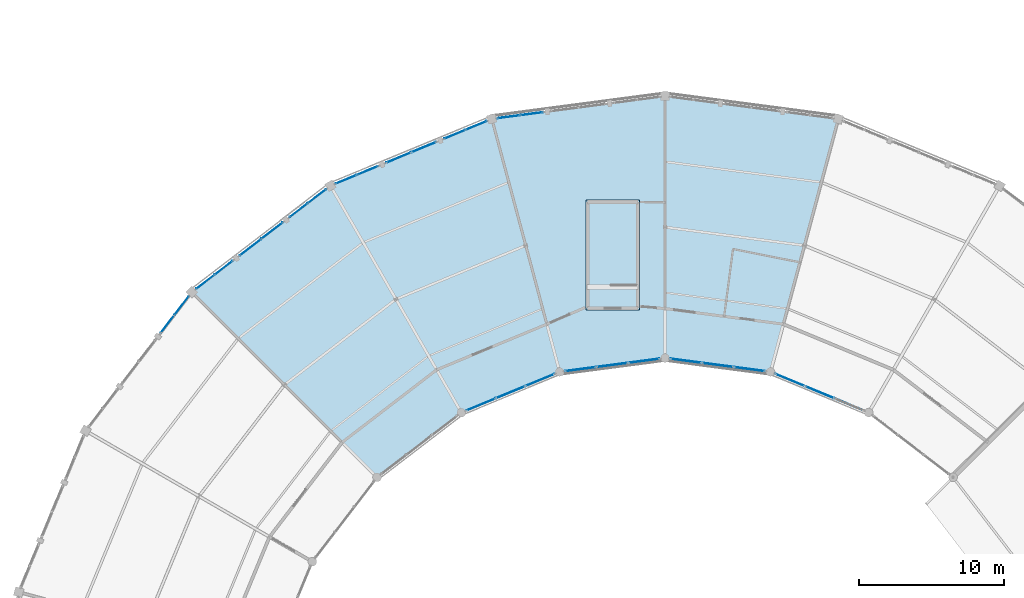
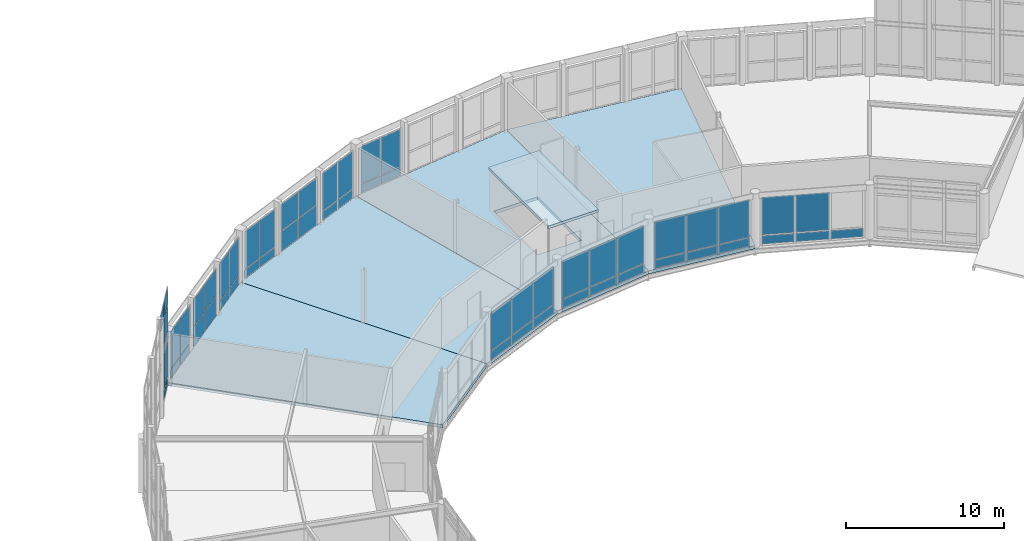
# One storey, part 139 of 200: 55 plates, 5 slabs, 12 elements without a shape of their own.
"""IFC4 building model written with IfcOpenShell, lengths in metres."""

from ifc_helpers import new_model, si_unit, direction, frame, origin, origin_2d, place, context, subcontext, project, spatial, polyline, rectangle, outline, extrude, material, layer, layer_set, type_object, element, aggregate, save


model = new_model("IFC4")

# Units and contexts
model_context = context("Model", 3, precision=1e-05, world=origin(), true_north=direction((0.0, 1.0)))
body_context = subcontext(model_context, "Body", "Model", "MODEL_VIEW")
ifc_project = project(units=[si_unit("LENGTHUNIT", "METRE"), si_unit("AREAUNIT", "SQUARE_METRE"), si_unit("VOLUMEUNIT", "CUBIC_METRE"), si_unit("PLANEANGLEUNIT", "RADIAN"), si_unit("MASSUNIT", "GRAM", prefix="KILO")], contexts=[model_context])

# Site, building, storey
site_placement = place(None, origin())
site = spatial("IfcSite", under=ifc_project, at=site_placement, CompositionType="ELEMENT")
building_placement = place(site_placement, origin())
building = spatial("IfcBuilding", under=site, at=building_placement, Name="Vondelvale Polytechnic", CompositionType="ELEMENT")
storey_placement = place(building_placement, frame((0.0, 0.0, 13.800048828125)))
storey = spatial("IfcBuildingStorey", under=building, at=storey_placement, Name="L03", CompositionType="ELEMENT", Elevation=13.800048828125)

# Curtain wall, plates
ifc_material_1 = material(Name="Anodised extruded aluminium 6063-T6", Category="aluminium")
curtain_wall_type_1 = type_object("IfcCurtainWallType", Name="CW-RING-CLOISTER", PredefinedType="NOTDEFINED", material=ifc_material_1)
curtain_wall_1_placement = place(storey_placement, origin())
curtain_wall_1 = element("IfcCurtainWall", 1, at=curtain_wall_1_placement, inside=storey, type_object=curtain_wall_type_1, Name="L03 architectural curtain wall CW-03-123", PredefinedType="NOTDEFINED")
ifc_material_2 = material(Name="Double-glazed low-E insulated architectural glass", Category="glass")
ifc_layer_1 = layer(ifc_material_2, 0.028076171875)
ifc_layer_set_1 = layer_set([ifc_layer_1], Name="CW-PANEL-GLAZED")
plate_type_1 = type_object("IfcPlateType", Name="CW-PANEL-GLAZED", PredefinedType="CURTAIN_PANEL", material=ifc_layer_set_1)
plate_1_placement = place(storey_placement, frame((112.62353515625, 97.647216796875, 0.7822265625), z_axis=(0.0, 0.0, 1.0), x_axis=(-0.923881562419, 0.382678531697, 0.0)))
plate_1 = element("IfcPlate", 2, at=plate_1_placement, type_object=plate_type_1, Name="CW-03-123 panel 2.2", PredefinedType="CURTAIN_PANEL", context=body_context, shape_type="SweptSolid", body=[
    extrude(rectangle(XDim=2.146484375, YDim=0.028076171875, at=origin_2d()), origin(), (0.0, 0.0, 1.0), 2.902587890625),
])
plate_2_placement = place(storey_placement, frame((110.591796875, 98.48876953125, 0.7822265625), z_axis=(0.0, 0.0, 1.0), x_axis=(-0.923881562419, 0.382678531697, 0.0)))
plate_2 = element("IfcPlate", 3, at=plate_2_placement, type_object=plate_type_1, Name="CW-03-123 panel 3.2", PredefinedType="CURTAIN_PANEL", context=body_context, shape_type="SweptSolid", body=[
    extrude(rectangle(XDim=2.111572265625, YDim=0.028076171875, at=origin_2d()), origin(), (0.0, 0.0, 1.0), 2.902587890625),
])

curtain_wall_2_placement = place(storey_placement, origin())
curtain_wall_2 = element("IfcCurtainWall", 4, at=curtain_wall_2_placement, inside=storey, type_object=curtain_wall_type_1, Name="L03 architectural curtain wall CW-03-143", PredefinedType="NOTDEFINED")
plate_3_placement = place(storey_placement, frame((107.804443359375, 99.23583984375, 0.7822265625), z_axis=(0.0, 0.0, 1.0), x_axis=(-0.99144462243, 0.130528007165, 0.0)))
plate_3 = element("IfcPlate", 5, at=plate_3_placement, type_object=plate_type_1, Name="CW-03-143 panel 1.2", PredefinedType="CURTAIN_PANEL", context=body_context, shape_type="SweptSolid", body=[
    extrude(rectangle(XDim=2.1123046875, YDim=0.028076171875, at=origin_2d()), origin(), (0.0, 0.0, 1.0), 2.902587890625),
])
plate_4_placement = place(storey_placement, frame((105.62353515625, 99.52294921875, 0.7822265625), z_axis=(0.0, 0.0, 1.0), x_axis=(-0.99144462243, 0.130528007165, 0.0)))
plate_4 = element("IfcPlate", 6, at=plate_4_placement, type_object=plate_type_1, Name="CW-03-143 panel 2.2", PredefinedType="CURTAIN_PANEL", context=body_context, shape_type="SweptSolid", body=[
    extrude(rectangle(XDim=2.1474609375, YDim=0.028076171875, at=origin_2d()), origin(), (0.0, 0.0, 1.0), 2.902587890625),
])
plate_5_placement = place(storey_placement, frame((103.4423828125, 99.81005859375, 0.7822265625), z_axis=(0.0, 0.0, 1.0), x_axis=(-0.99144462243, 0.130528007165, 0.0)))
plate_5 = element("IfcPlate", 7, at=plate_5_placement, type_object=plate_type_1, Name="CW-03-143 panel 3.2", PredefinedType="CURTAIN_PANEL", context=body_context, shape_type="SweptSolid", body=[
    extrude(rectangle(XDim=2.1123046875, YDim=0.028076171875, at=origin_2d()), origin(), (0.0, 0.0, 1.0), 2.902587890625),
])

curtain_wall_3_placement = place(storey_placement, origin())
curtain_wall_3 = element("IfcCurtainWall", 8, at=curtain_wall_3_placement, inside=storey, type_object=curtain_wall_type_1, Name="L03 architectural curtain wall CW-03-163", PredefinedType="NOTDEFINED")
plate_6_placement = place(storey_placement, frame((100.5576171875, 99.81005859375, 0.7822265625), z_axis=(0.0, 0.0, 1.0), x_axis=(-0.99144462243, -0.130528007165, 0.0)))
plate_6 = element("IfcPlate", 9, at=plate_6_placement, type_object=plate_type_1, Name="CW-03-163 panel 1.2", PredefinedType="CURTAIN_PANEL", context=body_context, shape_type="SweptSolid", body=[
    extrude(rectangle(XDim=2.1123046875, YDim=0.028076171875, at=origin_2d()), origin(), (0.0, 0.0, 1.0), 2.902587890625),
])
plate_7_placement = place(storey_placement, frame((98.37646484375, 99.52294921875, 0.7822265625), z_axis=(0.0, 0.0, 1.0), x_axis=(-0.99144462243, -0.130528007165, 0.0)))
plate_7 = element("IfcPlate", 10, at=plate_7_placement, type_object=plate_type_1, Name="CW-03-163 panel 2.2", PredefinedType="CURTAIN_PANEL", context=body_context, shape_type="SweptSolid", body=[
    extrude(rectangle(XDim=2.1474609375, YDim=0.028076171875, at=origin_2d()), origin(), (0.0, 0.0, 1.0), 2.902587890625),
])
plate_8_placement = place(storey_placement, frame((96.195556640625, 99.23583984375, 0.7822265625), z_axis=(0.0, 0.0, 1.0), x_axis=(-0.99144462243, -0.130528007165, 0.0)))
plate_8 = element("IfcPlate", 11, at=plate_8_placement, type_object=plate_type_1, Name="CW-03-163 panel 3.2", PredefinedType="CURTAIN_PANEL", context=body_context, shape_type="SweptSolid", body=[
    extrude(rectangle(XDim=2.1123046875, YDim=0.028076171875, at=origin_2d()), origin(), (0.0, 0.0, 1.0), 2.902587890625),
])

ifc_material_3 = material(Name="Glulam GL18 structural Tasmanian oak (fb = 42 MPa)", Category="wood")
curtain_wall_type_2 = type_object("IfcCurtainWallType", Name="CW-RING-OUTER", PredefinedType="NOTDEFINED", material=ifc_material_3)
curtain_wall_4_placement = place(storey_placement, origin())
curtain_wall_4 = element("IfcCurtainWall", 12, at=curtain_wall_4_placement, inside=storey, type_object=curtain_wall_type_2, Name="L03 architectural curtain wall CW-04-166", PredefinedType="NOTDEFINED")
plate_9_placement = place(storey_placement, frame((92.828369140625, 116.79248046875, 0.780029296875), z_axis=(0.0, 0.0, 1.0), x_axis=(-0.991443102996, -0.130539547729, 0.0)))
plate_9 = element("IfcPlate", 13, at=plate_9_placement, type_object=plate_type_1, Name="CW-04-166 panel 1.2", PredefinedType="CURTAIN_PANEL", context=body_context, shape_type="SweptSolid", body=[
    extrude(rectangle(XDim=1.530029296875, YDim=0.028076171875, at=origin_2d()), origin(), (0.0, 0.0, 1.0), 2.8798828125),
])
plate_10_placement = place(storey_placement, frame((91.2470703125, 116.584228515625, 0.780029296875), z_axis=(0.0, 0.0, 1.0), x_axis=(-0.991443102996, -0.130539547729, 0.0)))
plate_10 = element("IfcPlate", 14, at=plate_10_placement, type_object=plate_type_1, Name="CW-04-166 panel 2.2", PredefinedType="CURTAIN_PANEL", context=body_context, shape_type="SweptSolid", body=[
    extrude(rectangle(XDim=1.530029296875, YDim=0.028076171875, at=origin_2d()), origin(), (0.0, 0.0, 1.0), 2.8798828125),
])

curtain_wall_5_placement = place(storey_placement, origin())
curtain_wall_5 = element("IfcCurtainWall", 15, at=curtain_wall_5_placement, inside=storey, type_object=curtain_wall_type_1, Name="L03 architectural curtain wall CW-03-183", PredefinedType="NOTDEFINED")
plate_11_placement = place(storey_placement, frame((93.408203125, 98.48876953125, 0.7822265625), z_axis=(0.0, 0.0, 1.0), x_axis=(-0.923881562419, -0.382678531697, 0.0)))
plate_11 = element("IfcPlate", 16, at=plate_11_placement, type_object=plate_type_1, Name="CW-03-183 panel 1.2", PredefinedType="CURTAIN_PANEL", context=body_context, shape_type="SweptSolid", body=[
    extrude(rectangle(XDim=2.111572265625, YDim=0.028076171875, at=origin_2d()), origin(), (0.0, 0.0, 1.0), 2.902587890625),
])
plate_12_placement = place(storey_placement, frame((91.37646484375, 97.647216796875, 0.7822265625), z_axis=(0.0, 0.0, 1.0), x_axis=(-0.923881562419, -0.382678531697, 0.0)))
plate_12 = element("IfcPlate", 17, at=plate_12_placement, type_object=plate_type_1, Name="CW-03-183 panel 2.2", PredefinedType="CURTAIN_PANEL", context=body_context, shape_type="SweptSolid", body=[
    extrude(rectangle(XDim=2.146484375, YDim=0.028076171875, at=origin_2d()), origin(), (0.0, 0.0, 1.0), 2.902587890625),
])
plate_13_placement = place(storey_placement, frame((89.344970703125, 96.805908203125, 0.7822265625), z_axis=(0.0, 0.0, 1.0), x_axis=(-0.923881562419, -0.382678531697, 0.0)))
plate_13 = element("IfcPlate", 18, at=plate_13_placement, type_object=plate_type_1, Name="CW-03-183 panel 3.2", PredefinedType="CURTAIN_PANEL", context=body_context, shape_type="SweptSolid", body=[
    extrude(rectangle(XDim=2.111572265625, YDim=0.028076171875, at=origin_2d()), origin(), (0.0, 0.0, 1.0), 2.902587890625),
])

curtain_wall_6_placement = place(storey_placement, origin())
curtain_wall_6 = element("IfcCurtainWall", 19, at=curtain_wall_6_placement, inside=storey, type_object=curtain_wall_type_2, Name="L03 architectural curtain wall CW-04-184", PredefinedType="NOTDEFINED")
plate_14_placement = place(storey_placement, frame((89.02001953125, 115.98779296875, 0.780029296875), z_axis=(0.0, 0.0, 1.0), x_axis=(-0.923882033442, -0.382677394529, 0.0)))
plate_14 = element("IfcPlate", 20, at=plate_14_placement, type_object=plate_type_1, Name="CW-04-184 panel 1.2", PredefinedType="CURTAIN_PANEL", context=body_context, shape_type="SweptSolid", body=[
    extrude(rectangle(XDim=1.530029296875, YDim=0.028076171875, at=origin_2d()), origin(), (0.0, 0.0, 1.0), 2.8798828125),
])
plate_15_placement = place(storey_placement, frame((87.546630859375, 115.377197265625, 0.780029296875), z_axis=(0.0, 0.0, 1.0), x_axis=(-0.923882033442, -0.382677394529, 0.0)))
plate_15 = element("IfcPlate", 21, at=plate_15_placement, type_object=plate_type_1, Name="CW-04-184 panel 2.2", PredefinedType="CURTAIN_PANEL", context=body_context, shape_type="SweptSolid", body=[
    extrude(rectangle(XDim=1.530029296875, YDim=0.028076171875, at=origin_2d()), origin(), (0.0, 0.0, 1.0), 2.8798828125),
])

curtain_wall_7_placement = place(storey_placement, origin())
curtain_wall_7 = element("IfcCurtainWall", 22, at=curtain_wall_7_placement, inside=storey, type_object=curtain_wall_type_2, Name="L03 architectural curtain wall CW-04-185", PredefinedType="NOTDEFINED")
plate_16_placement = place(storey_placement, frame((85.412841796875, 114.493408203125, 1.6298828125), z_axis=(0.0, 0.0, 1.0), x_axis=(-0.92387490701, -0.382694599123, 0.0)))
plate_16 = element("IfcPlate", 23, at=plate_16_placement, type_object=plate_type_1, Name="CW-04-185 panel 1.2", PredefinedType="CURTAIN_PANEL", context=body_context, shape_type="SweptSolid", body=[
    extrude(rectangle(XDim=1.80908203125, YDim=0.028076171875, at=origin_2d()), origin(), (0.0, 0.0, 1.0), 2.030029296875),
])
plate_17_placement = place(storey_placement, frame((83.681396484375, 113.7763671875, 1.6298828125), z_axis=(0.0, 0.0, 1.0), x_axis=(-0.92387490701, -0.382694599123, 0.0)))
plate_17 = element("IfcPlate", 24, at=plate_17_placement, type_object=plate_type_1, Name="CW-04-185 panel 2.2", PredefinedType="CURTAIN_PANEL", context=body_context, shape_type="SweptSolid", body=[
    extrude(rectangle(XDim=1.80908203125, YDim=0.028076171875, at=origin_2d()), origin(), (0.0, 0.0, 1.0), 2.030029296875),
])

curtain_wall_8_placement = place(storey_placement, origin())
curtain_wall_8 = element("IfcCurtainWall", 25, at=curtain_wall_8_placement, inside=storey, type_object=curtain_wall_type_2, Name="L03 architectural curtain wall CW-04-186", PredefinedType="NOTDEFINED")
plate_18_placement = place(storey_placement, frame((81.5478515625, 112.892578125, 0.780029296875), z_axis=(0.0, 0.0, 1.0), x_axis=(-0.923882033442, -0.382677394529, 0.0)))
plate_18 = element("IfcPlate", 26, at=plate_18_placement, type_object=plate_type_1, Name="CW-04-186 panel 1.2", PredefinedType="CURTAIN_PANEL", context=body_context, shape_type="SweptSolid", body=[
    extrude(rectangle(XDim=1.530029296875, YDim=0.028076171875, at=origin_2d()), origin(), (0.0, 0.0, 1.0), 2.8798828125),
])
plate_19_placement = place(storey_placement, frame((80.07421875, 112.2822265625, 0.780029296875), z_axis=(0.0, 0.0, 1.0), x_axis=(-0.923882033442, -0.382677394529, 0.0)))
plate_19 = element("IfcPlate", 27, at=plate_19_placement, type_object=plate_type_1, Name="CW-04-186 panel 2.2", PredefinedType="CURTAIN_PANEL", context=body_context, shape_type="SweptSolid", body=[
    extrude(rectangle(XDim=1.530029296875, YDim=0.028076171875, at=origin_2d()), origin(), (0.0, 0.0, 1.0), 2.8798828125),
])

curtain_wall_9_placement = place(storey_placement, origin())
curtain_wall_9 = element("IfcCurtainWall", 28, at=curtain_wall_9_placement, inside=storey, type_object=curtain_wall_type_2, Name="L03 architectural curtain wall CW-04-203", PredefinedType="NOTDEFINED")
plate_20_placement = place(storey_placement, frame((78.07763671875, 111.12939453125, 0.780029296875), z_axis=(0.0, 0.0, 1.0), x_axis=(-0.793333825656, -0.608786860133, 0.0)))
plate_20 = element("IfcPlate", 29, at=plate_20_placement, type_object=plate_type_1, Name="CW-04-203 panel 1.2", PredefinedType="CURTAIN_PANEL", context=body_context, shape_type="SweptSolid", body=[
    extrude(rectangle(XDim=1.530029296875, YDim=0.028076171875, at=origin_2d()), origin(), (0.0, 0.0, 1.0), 2.8798828125),
])
plate_21_placement = place(storey_placement, frame((76.812255859375, 110.158447265625, 0.780029296875), z_axis=(0.0, 0.0, 1.0), x_axis=(-0.793333825656, -0.608786860133, 0.0)))
plate_21 = element("IfcPlate", 30, at=plate_21_placement, type_object=plate_type_1, Name="CW-04-203 panel 2.2", PredefinedType="CURTAIN_PANEL", context=body_context, shape_type="SweptSolid", body=[
    extrude(rectangle(XDim=1.530029296875, YDim=0.028076171875, at=origin_2d()), origin(), (0.0, 0.0, 1.0), 2.8798828125),
])

curtain_wall_10_placement = place(storey_placement, origin())
curtain_wall_10 = element("IfcCurtainWall", 31, at=curtain_wall_10_placement, inside=storey, type_object=curtain_wall_type_2, Name="L03 architectural curtain wall CW-04-205", PredefinedType="NOTDEFINED")
plate_22_placement = place(storey_placement, frame((71.660888671875, 106.205810546875, 0.780029296875), z_axis=(0.0, 0.0, 1.0), x_axis=(-0.793333825656, -0.608786860133, 0.0)))
plate_22 = element("IfcPlate", 32, at=plate_22_placement, type_object=plate_type_1, Name="CW-04-205 panel 1.2", PredefinedType="CURTAIN_PANEL", context=body_context, shape_type="SweptSolid", body=[
    extrude(rectangle(XDim=1.530029296875, YDim=0.028076171875, at=origin_2d()), origin(), (0.0, 0.0, 1.0), 2.8798828125),
])
plate_23_placement = place(storey_placement, frame((70.3955078125, 105.234619140625, 0.780029296875), z_axis=(0.0, 0.0, 1.0), x_axis=(-0.793333825656, -0.608786860133, 0.0)))
plate_23 = element("IfcPlate", 33, at=plate_23_placement, type_object=plate_type_1, Name="CW-04-205 panel 2.2", PredefinedType="CURTAIN_PANEL", context=body_context, shape_type="SweptSolid", body=[
    extrude(rectangle(XDim=1.530029296875, YDim=0.028076171875, at=origin_2d()), origin(), (0.0, 0.0, 1.0), 2.8798828125),
])

curtain_wall_11_placement = place(storey_placement, origin())
curtain_wall_11 = element("IfcCurtainWall", 34, at=curtain_wall_11_placement, inside=storey, type_object=curtain_wall_type_2, Name="L03 architectural curtain wall CW-04-222", PredefinedType="NOTDEFINED")
plate_24_placement = place(storey_placement, frame((68.765380859375, 103.6044921875, 0.780029296875), z_axis=(0.0, 0.0, 1.0), x_axis=(-0.608786860133, -0.793333825656, 0.0)))
plate_24 = element("IfcPlate", 35, at=plate_24_placement, type_object=plate_type_1, Name="CW-04-222 panel 1.2", PredefinedType="CURTAIN_PANEL", context=body_context, shape_type="SweptSolid", body=[
    extrude(rectangle(XDim=1.530029296875, YDim=0.028076171875, at=origin_2d()), origin(), (0.0, 0.0, 1.0), 5.50146484375),
])
plate_25_placement = place(storey_placement, frame((68.765380859375, 103.6044921875, 6.34130859375), z_axis=(0.0, 0.0, 1.0), x_axis=(-0.608786860133, -0.793333825656, 0.0)))
plate_25 = element("IfcPlate", 36, at=plate_25_placement, type_object=plate_type_1, Name="CW-04-222 panel 1.3", PredefinedType="CURTAIN_PANEL", context=body_context, shape_type="SweptSolid", body=[
    extrude(rectangle(XDim=1.530029296875, YDim=0.028076171875, at=origin_2d()), origin(), (0.0, 0.0, 1.0), 1.260009765625),
])
plate_26_placement = place(storey_placement, frame((67.794189453125, 102.339111328125, 6.34130859375), z_axis=(0.0, 0.0, 1.0), x_axis=(-0.608786860133, -0.793333825656, 0.0)))
plate_26 = element("IfcPlate", 37, at=plate_26_placement, type_object=plate_type_1, Name="CW-04-222 panel 2.3", PredefinedType="CURTAIN_PANEL", context=body_context, shape_type="SweptSolid", body=[
    extrude(rectangle(XDim=1.530029296875, YDim=0.028076171875, at=origin_2d()), origin(), (0.0, 0.0, 1.0), 1.260009765625),
])

# Plate
ifc_material_4 = material(Name="Engineered Tasmanian oak studio and bridge joinery")
ifc_layer_2 = layer(ifc_material_4, 0.0419921875)
ifc_layer_set_2 = layer_set([ifc_layer_2], Name="CW-PANEL-OAK")
plate_type_2 = type_object("IfcPlateType", Name="CW-PANEL-OAK", PredefinedType="CURTAIN_PANEL", material=ifc_layer_set_2)
plate_27_placement = place(storey_placement, frame((114.655029296875, 96.805908203125, 0.06494140625), z_axis=(0.0, 0.0, 1.0), x_axis=(-0.923881562419, 0.382678531697, 0.0)))
plate_27 = element("IfcPlate", 38, at=plate_27_placement, type_object=plate_type_2, Name="CW-03-123 panel 1.1", PredefinedType="CURTAIN_PANEL", context=body_context, shape_type="SweptSolid", body=[
    extrude(rectangle(XDim=2.111572265625, YDim=0.0419921875, at=origin_2d()), origin(), (0.0, 0.0, 1.0), 0.652587890625),
])

plate_28_placement = place(storey_placement, frame((112.62353515625, 97.647216796875, 0.06494140625), z_axis=(0.0, 0.0, 1.0), x_axis=(-0.923881562419, 0.382678531697, 0.0)))
plate_28 = element("IfcPlate", 39, at=plate_28_placement, type_object=plate_type_2, Name="CW-03-123 panel 2.1", PredefinedType="CURTAIN_PANEL", context=body_context, shape_type="SweptSolid", body=[
    extrude(rectangle(XDim=2.146484375, YDim=0.0419921875, at=origin_2d()), origin(), (0.0, 0.0, 1.0), 0.652587890625),
])

plate_29_placement = place(storey_placement, frame((110.591796875, 98.48876953125, 0.06494140625), z_axis=(0.0, 0.0, 1.0), x_axis=(-0.923881562419, 0.382678531697, 0.0)))
plate_29 = element("IfcPlate", 40, at=plate_29_placement, type_object=plate_type_2, Name="CW-03-123 panel 3.1", PredefinedType="CURTAIN_PANEL", context=body_context, shape_type="SweptSolid", body=[
    extrude(rectangle(XDim=2.111572265625, YDim=0.0419921875, at=origin_2d()), origin(), (0.0, 0.0, 1.0), 0.652587890625),
])

aggregate(curtain_wall_1, [plate_27, plate_28, plate_1, plate_29, plate_2])

plate_30_placement = place(storey_placement, frame((107.804443359375, 99.23583984375, 0.06494140625), z_axis=(0.0, 0.0, 1.0), x_axis=(-0.99144462243, 0.130528007165, 0.0)))
plate_30 = element("IfcPlate", 41, at=plate_30_placement, type_object=plate_type_2, Name="CW-03-143 panel 1.1", PredefinedType="CURTAIN_PANEL", context=body_context, shape_type="SweptSolid", body=[
    extrude(rectangle(XDim=2.1123046875, YDim=0.0419921875, at=origin_2d()), origin(), (0.0, 0.0, 1.0), 0.652587890625),
])

plate_31_placement = place(storey_placement, frame((105.62353515625, 99.52294921875, 0.06494140625), z_axis=(0.0, 0.0, 1.0), x_axis=(-0.99144462243, 0.130528007165, 0.0)))
plate_31 = element("IfcPlate", 42, at=plate_31_placement, type_object=plate_type_2, Name="CW-03-143 panel 2.1", PredefinedType="CURTAIN_PANEL", context=body_context, shape_type="SweptSolid", body=[
    extrude(rectangle(XDim=2.1474609375, YDim=0.0419921875, at=origin_2d()), origin(), (0.0, 0.0, 1.0), 0.652587890625),
])

plate_32_placement = place(storey_placement, frame((103.4423828125, 99.81005859375, 0.06494140625), z_axis=(0.0, 0.0, 1.0), x_axis=(-0.99144462243, 0.130528007165, 0.0)))
plate_32 = element("IfcPlate", 43, at=plate_32_placement, type_object=plate_type_2, Name="CW-03-143 panel 3.1", PredefinedType="CURTAIN_PANEL", context=body_context, shape_type="SweptSolid", body=[
    extrude(rectangle(XDim=2.1123046875, YDim=0.0419921875, at=origin_2d()), origin(), (0.0, 0.0, 1.0), 0.652587890625),
])

aggregate(curtain_wall_2, [plate_30, plate_3, plate_31, plate_4, plate_32, plate_5])

plate_33_placement = place(storey_placement, frame((100.5576171875, 99.81005859375, 0.06494140625), z_axis=(0.0, 0.0, 1.0), x_axis=(-0.99144462243, -0.130528007165, 0.0)))
plate_33 = element("IfcPlate", 44, at=plate_33_placement, type_object=plate_type_2, Name="CW-03-163 panel 1.1", PredefinedType="CURTAIN_PANEL", context=body_context, shape_type="SweptSolid", body=[
    extrude(rectangle(XDim=2.1123046875, YDim=0.0419921875, at=origin_2d()), origin(), (0.0, 0.0, 1.0), 0.652587890625),
])

plate_34_placement = place(storey_placement, frame((98.37646484375, 99.52294921875, 0.06494140625), z_axis=(0.0, 0.0, 1.0), x_axis=(-0.99144462243, -0.130528007165, 0.0)))
plate_34 = element("IfcPlate", 45, at=plate_34_placement, type_object=plate_type_2, Name="CW-03-163 panel 2.1", PredefinedType="CURTAIN_PANEL", context=body_context, shape_type="SweptSolid", body=[
    extrude(rectangle(XDim=2.1474609375, YDim=0.0419921875, at=origin_2d()), origin(), (0.0, 0.0, 1.0), 0.652587890625),
])

plate_35_placement = place(storey_placement, frame((96.195556640625, 99.23583984375, 0.06494140625), z_axis=(0.0, 0.0, 1.0), x_axis=(-0.99144462243, -0.130528007165, 0.0)))
plate_35 = element("IfcPlate", 46, at=plate_35_placement, type_object=plate_type_2, Name="CW-03-163 panel 3.1", PredefinedType="CURTAIN_PANEL", context=body_context, shape_type="SweptSolid", body=[
    extrude(rectangle(XDim=2.1123046875, YDim=0.0419921875, at=origin_2d()), origin(), (0.0, 0.0, 1.0), 0.652587890625),
])

aggregate(curtain_wall_3, [plate_33, plate_6, plate_34, plate_7, plate_35, plate_8])

plate_36_placement = place(storey_placement, frame((93.408203125, 98.48876953125, 0.06494140625), z_axis=(0.0, 0.0, 1.0), x_axis=(-0.923881562419, -0.382678531697, 0.0)))
plate_36 = element("IfcPlate", 47, at=plate_36_placement, type_object=plate_type_2, Name="CW-03-183 panel 1.1", PredefinedType="CURTAIN_PANEL", context=body_context, shape_type="SweptSolid", body=[
    extrude(rectangle(XDim=2.111572265625, YDim=0.0419921875, at=origin_2d()), origin(), (0.0, 0.0, 1.0), 0.652587890625),
])

plate_37_placement = place(storey_placement, frame((91.37646484375, 97.647216796875, 0.06494140625), z_axis=(0.0, 0.0, 1.0), x_axis=(-0.923881562419, -0.382678531697, 0.0)))
plate_37 = element("IfcPlate", 48, at=plate_37_placement, type_object=plate_type_2, Name="CW-03-183 panel 2.1", PredefinedType="CURTAIN_PANEL", context=body_context, shape_type="SweptSolid", body=[
    extrude(rectangle(XDim=2.146484375, YDim=0.0419921875, at=origin_2d()), origin(), (0.0, 0.0, 1.0), 0.652587890625),
])

plate_38_placement = place(storey_placement, frame((89.344970703125, 96.805908203125, 0.06494140625), z_axis=(0.0, 0.0, 1.0), x_axis=(-0.923881562419, -0.382678531697, 0.0)))
plate_38 = element("IfcPlate", 49, at=plate_38_placement, type_object=plate_type_2, Name="CW-03-183 panel 3.1", PredefinedType="CURTAIN_PANEL", context=body_context, shape_type="SweptSolid", body=[
    extrude(rectangle(XDim=2.111572265625, YDim=0.0419921875, at=origin_2d()), origin(), (0.0, 0.0, 1.0), 0.652587890625),
])

aggregate(curtain_wall_5, [plate_36, plate_11, plate_37, plate_12, plate_38, plate_13])

plate_39_placement = place(storey_placement, frame((85.412841796875, 114.493408203125, 0.06005859375), z_axis=(0.0, 0.0, 1.0), x_axis=(-0.92387490701, -0.382694599123, 0.0)))
plate_39 = element("IfcPlate", 50, at=plate_39_placement, type_object=plate_type_2, Name="CW-04-185 panel 1.1", PredefinedType="CURTAIN_PANEL", context=body_context, shape_type="SweptSolid", body=[
    extrude(rectangle(XDim=1.80908203125, YDim=0.0419921875, at=origin_2d()), origin(), (0.0, 0.0, 1.0), 1.510009765625),
])

plate_40_placement = place(storey_placement, frame((83.681396484375, 113.7763671875, 0.06005859375), z_axis=(0.0, 0.0, 1.0), x_axis=(-0.92387490701, -0.382694599123, 0.0)))
plate_40 = element("IfcPlate", 51, at=plate_40_placement, type_object=plate_type_2, Name="CW-04-185 panel 2.1", PredefinedType="CURTAIN_PANEL", context=body_context, shape_type="SweptSolid", body=[
    extrude(rectangle(XDim=1.80908203125, YDim=0.0419921875, at=origin_2d()), origin(), (0.0, 0.0, 1.0), 1.510009765625),
])

aggregate(curtain_wall_7, [plate_39, plate_16, plate_40, plate_17])

# Curtain wall, plates
curtain_wall_12_placement = place(storey_placement, origin())
curtain_wall_12 = element("IfcCurtainWall", 52, at=curtain_wall_12_placement, inside=storey, type_object=curtain_wall_type_2, Name="L03 architectural curtain wall CW-04-204", PredefinedType="NOTDEFINED")
plate_41_placement = place(storey_placement, frame((74.97998046875, 108.75244140625, 0.06005859375), z_axis=(0.0, 0.0, 1.0), x_axis=(-0.793345851043, -0.608771189063, 0.0)))
plate_41 = element("IfcPlate", 53, at=plate_41_placement, type_object=plate_type_2, Name="CW-04-204 panel 1.1", PredefinedType="CURTAIN_PANEL", context=body_context, shape_type="SweptSolid", body=[
    extrude(rectangle(XDim=1.80908203125, YDim=0.0419921875, at=origin_2d()), origin(), (0.0, 0.0, 1.0), 1.510009765625),
])
plate_42_placement = place(storey_placement, frame((74.97998046875, 108.75244140625, 1.6298828125), z_axis=(0.0, 0.0, 1.0), x_axis=(-0.793345851043, -0.608771189063, 0.0)))
plate_42 = element("IfcPlate", 54, at=plate_42_placement, type_object=plate_type_2, Name="CW-04-204 panel 1.2", PredefinedType="CURTAIN_PANEL", context=body_context, shape_type="SweptSolid", body=[
    extrude(rectangle(XDim=1.80908203125, YDim=0.0419921875, at=origin_2d()), origin(), (0.0, 0.0, 1.0), 2.030029296875),
])
plate_43_placement = place(storey_placement, frame((73.4931640625, 107.611572265625, 0.06005859375), z_axis=(0.0, 0.0, 1.0), x_axis=(-0.793345851043, -0.608771189063, 0.0)))
plate_43 = element("IfcPlate", 55, at=plate_43_placement, type_object=plate_type_2, Name="CW-04-204 panel 2.1", PredefinedType="CURTAIN_PANEL", context=body_context, shape_type="SweptSolid", body=[
    extrude(rectangle(XDim=1.80908203125, YDim=0.0419921875, at=origin_2d()), origin(), (0.0, 0.0, 1.0), 1.510009765625),
])
plate_44_placement = place(storey_placement, frame((73.4931640625, 107.611572265625, 1.6298828125), z_axis=(0.0, 0.0, 1.0), x_axis=(-0.793345851043, -0.608771189063, 0.0)))
plate_44 = element("IfcPlate", 56, at=plate_44_placement, type_object=plate_type_2, Name="CW-04-204 panel 2.2", PredefinedType="CURTAIN_PANEL", context=body_context, shape_type="SweptSolid", body=[
    extrude(rectangle(XDim=1.80908203125, YDim=0.0419921875, at=origin_2d()), origin(), (0.0, 0.0, 1.0), 2.030029296875),
])
aggregate(curtain_wall_12, [plate_41, plate_42, plate_43, plate_44])

# Plate
ifc_material_5 = material(Name="Kiln-fired architectural terracotta", Category="masonry")
ifc_layer_3 = layer(ifc_material_5, 0.035888671875)
ifc_layer_set_3 = layer_set([ifc_layer_3], Name="CW-PANEL-SPANDREL")
plate_type_3 = type_object("IfcPlateType", Name="CW-PANEL-SPANDREL", PredefinedType="CURTAIN_PANEL", material=ifc_layer_set_3)
plate_45_placement = place(storey_placement, frame((92.828369140625, 116.79248046875, 0.06005859375), z_axis=(0.0, 0.0, 1.0), x_axis=(-0.991443102996, -0.130539547729, 0.0)))
plate_45 = element("IfcPlate", 57, at=plate_45_placement, type_object=plate_type_3, Name="CW-04-166 panel 1.1", PredefinedType="CURTAIN_PANEL", context=body_context, shape_type="SweptSolid", body=[
    extrude(rectangle(XDim=1.530029296875, YDim=0.035888671875, at=origin_2d()), origin(), (0.0, 0.0, 1.0), 0.659912109375),
])

plate_46_placement = place(storey_placement, frame((91.2470703125, 116.584228515625, 0.06005859375), z_axis=(0.0, 0.0, 1.0), x_axis=(-0.991443102996, -0.130539547729, 0.0)))
plate_46 = element("IfcPlate", 58, at=plate_46_placement, type_object=plate_type_3, Name="CW-04-166 panel 2.1", PredefinedType="CURTAIN_PANEL", context=body_context, shape_type="SweptSolid", body=[
    extrude(rectangle(XDim=1.530029296875, YDim=0.035888671875, at=origin_2d()), origin(), (0.0, 0.0, 1.0), 0.659912109375),
])

aggregate(curtain_wall_4, [plate_45, plate_9, plate_46, plate_10])

plate_47_placement = place(storey_placement, frame((89.02001953125, 115.98779296875, 0.06005859375), z_axis=(0.0, 0.0, 1.0), x_axis=(-0.923882033442, -0.382677394529, 0.0)))
plate_47 = element("IfcPlate", 59, at=plate_47_placement, type_object=plate_type_3, Name="CW-04-184 panel 1.1", PredefinedType="CURTAIN_PANEL", context=body_context, shape_type="SweptSolid", body=[
    extrude(rectangle(XDim=1.530029296875, YDim=0.035888671875, at=origin_2d()), origin(), (0.0, 0.0, 1.0), 0.659912109375),
])

plate_48_placement = place(storey_placement, frame((87.546630859375, 115.377197265625, 0.06005859375), z_axis=(0.0, 0.0, 1.0), x_axis=(-0.923882033442, -0.382677394529, 0.0)))
plate_48 = element("IfcPlate", 60, at=plate_48_placement, type_object=plate_type_3, Name="CW-04-184 panel 2.1", PredefinedType="CURTAIN_PANEL", context=body_context, shape_type="SweptSolid", body=[
    extrude(rectangle(XDim=1.530029296875, YDim=0.035888671875, at=origin_2d()), origin(), (0.0, 0.0, 1.0), 0.659912109375),
])

aggregate(curtain_wall_6, [plate_47, plate_14, plate_48, plate_15])

plate_49_placement = place(storey_placement, frame((81.5478515625, 112.892578125, 0.06005859375), z_axis=(0.0, 0.0, 1.0), x_axis=(-0.923882033442, -0.382677394529, 0.0)))
plate_49 = element("IfcPlate", 61, at=plate_49_placement, type_object=plate_type_3, Name="CW-04-186 panel 1.1", PredefinedType="CURTAIN_PANEL", context=body_context, shape_type="SweptSolid", body=[
    extrude(rectangle(XDim=1.530029296875, YDim=0.035888671875, at=origin_2d()), origin(), (0.0, 0.0, 1.0), 0.659912109375),
])

plate_50_placement = place(storey_placement, frame((80.07421875, 112.2822265625, 0.06005859375), z_axis=(0.0, 0.0, 1.0), x_axis=(-0.923882033442, -0.382677394529, 0.0)))
plate_50 = element("IfcPlate", 62, at=plate_50_placement, type_object=plate_type_3, Name="CW-04-186 panel 2.1", PredefinedType="CURTAIN_PANEL", context=body_context, shape_type="SweptSolid", body=[
    extrude(rectangle(XDim=1.530029296875, YDim=0.035888671875, at=origin_2d()), origin(), (0.0, 0.0, 1.0), 0.659912109375),
])

aggregate(curtain_wall_8, [plate_49, plate_18, plate_50, plate_19])

plate_51_placement = place(storey_placement, frame((78.07763671875, 111.12939453125, 0.06005859375), z_axis=(0.0, 0.0, 1.0), x_axis=(-0.793333825656, -0.608786860133, 0.0)))
plate_51 = element("IfcPlate", 63, at=plate_51_placement, type_object=plate_type_3, Name="CW-04-203 panel 1.1", PredefinedType="CURTAIN_PANEL", context=body_context, shape_type="SweptSolid", body=[
    extrude(rectangle(XDim=1.530029296875, YDim=0.035888671875, at=origin_2d()), origin(), (0.0, 0.0, 1.0), 0.659912109375),
])

plate_52_placement = place(storey_placement, frame((76.812255859375, 110.158447265625, 0.06005859375), z_axis=(0.0, 0.0, 1.0), x_axis=(-0.793333825656, -0.608786860133, 0.0)))
plate_52 = element("IfcPlate", 64, at=plate_52_placement, type_object=plate_type_3, Name="CW-04-203 panel 2.1", PredefinedType="CURTAIN_PANEL", context=body_context, shape_type="SweptSolid", body=[
    extrude(rectangle(XDim=1.530029296875, YDim=0.035888671875, at=origin_2d()), origin(), (0.0, 0.0, 1.0), 0.659912109375),
])

aggregate(curtain_wall_9, [plate_51, plate_20, plate_52, plate_21])

plate_53_placement = place(storey_placement, frame((71.660888671875, 106.205810546875, 0.06005859375), z_axis=(0.0, 0.0, 1.0), x_axis=(-0.793333825656, -0.608786860133, 0.0)))
plate_53 = element("IfcPlate", 65, at=plate_53_placement, type_object=plate_type_3, Name="CW-04-205 panel 1.1", PredefinedType="CURTAIN_PANEL", context=body_context, shape_type="SweptSolid", body=[
    extrude(rectangle(XDim=1.530029296875, YDim=0.035888671875, at=origin_2d()), origin(), (0.0, 0.0, 1.0), 0.659912109375),
])

plate_54_placement = place(storey_placement, frame((70.3955078125, 105.234619140625, 0.06005859375), z_axis=(0.0, 0.0, 1.0), x_axis=(-0.793333825656, -0.608786860133, 0.0)))
plate_54 = element("IfcPlate", 66, at=plate_54_placement, type_object=plate_type_3, Name="CW-04-205 panel 2.1", PredefinedType="CURTAIN_PANEL", context=body_context, shape_type="SweptSolid", body=[
    extrude(rectangle(XDim=1.530029296875, YDim=0.035888671875, at=origin_2d()), origin(), (0.0, 0.0, 1.0), 0.659912109375),
])

aggregate(curtain_wall_10, [plate_53, plate_22, plate_54, plate_23])

plate_55_placement = place(storey_placement, frame((68.765380859375, 103.6044921875, 0.06005859375), z_axis=(0.0, 0.0, 1.0), x_axis=(-0.608786860133, -0.793333825656, 0.0)))
plate_55 = element("IfcPlate", 67, at=plate_55_placement, type_object=plate_type_3, Name="CW-04-222 panel 1.1", PredefinedType="CURTAIN_PANEL", context=body_context, shape_type="SweptSolid", body=[
    extrude(rectangle(XDim=1.530029296875, YDim=0.035888671875, at=origin_2d()), origin(), (0.0, 0.0, 1.0), 0.659912109375),
])

aggregate(curtain_wall_11, [plate_55, plate_24, plate_25, plate_26])

# Slabs
ifc_material_6 = material(Name="Concrete N40 (f'c = 40 MPa)", Category="concrete")
ifc_layer_4 = layer(ifc_material_6, 0.25)
ifc_layer_set_4 = layer_set([ifc_layer_4], Name="SLB-LAB-250")
slab_type_1 = type_object("IfcSlabType", Name="SLB-LAB-250", PredefinedType="FLOOR", material=ifc_layer_set_4)
slab_1_placement = place(storey_placement, frame((0.0, 0.0, -0.25)))
element("IfcSlab", 68, at=slab_1_placement, inside=storey, type_object=slab_type_1, Name="L03 circular ring sector 05 floor slab", PredefinedType="FLOOR", context=body_context, shape_type="SweptSolid", body=[
    extrude(outline(polyline([(109.246826171875, 99.0458984375), (113.90576171875, 116.4326171875), (102.0, 118.0), (102.0, 100.0), (109.246826171875, 99.0458984375)])), origin(), (0.0, 0.0, 1.0), 0.25),
])
slab_2_placement = place(storey_placement, frame((0.0, 0.0, -0.25)))
element("IfcSlab", 69, at=slab_2_placement, inside=storey, type_object=slab_type_1, Name="L03 circular ring sector 06 floor slab", PredefinedType="FLOOR", context=body_context, shape_type="SweptSolid", body=[
    extrude(outline(polyline([(102.0, 100.0), (102.0, 118.0), (90.09423828125, 116.4326171875), (94.753173828125, 99.0458984375), (102.0, 100.0)]), holes=[polyline([(100.0, 105.050048828125), (100.0, 110.60009765625), (96.800048828125, 110.60009765625), (96.800048828125, 105.050048828125), (100.0, 105.050048828125)])]), origin(), (0.0, 0.0, 1.0), 0.25),
])
slab_3_placement = place(storey_placement, frame((0.0, 0.0, -0.25)))
element("IfcSlab", 70, at=slab_3_placement, inside=storey, type_object=slab_type_1, Name="L03 circular ring sector 07 floor slab", PredefinedType="FLOOR", context=body_context, shape_type="SweptSolid", body=[
    extrude(outline(polyline([(94.753173828125, 99.0458984375), (90.09423828125, 116.4326171875), (79.0, 111.837158203125), (88.0, 96.248779296875), (94.753173828125, 99.0458984375)])), origin(), (0.0, 0.0, 1.0), 0.25),
])
slab_4_placement = place(storey_placement, frame((0.0, 0.0, -0.25)))
element("IfcSlab", 71, at=slab_4_placement, inside=storey, type_object=slab_type_1, Name="L03 circular ring sector 08 floor slab", PredefinedType="FLOOR", context=body_context, shape_type="SweptSolid", body=[
    extrude(outline(polyline([(88.0, 96.248779296875), (79.0, 111.837158203125), (69.47314453125, 104.52685546875), (82.200927734375, 91.799072265625), (88.0, 96.248779296875)])), origin(), (0.0, 0.0, 1.0), 0.25),
])
ifc_layer_5 = layer(ifc_material_6, 0.199951171875)
ifc_layer_set_5 = layer_set([ifc_layer_5], Name="SLB-ROOF-200")
slab_type_2 = type_object("IfcSlabType", Name="SLB-ROOF-200", PredefinedType="ROOF", material=ifc_layer_set_5)
slab_5_placement = place(storey_placement, frame((0.0, 0.0, 3.14990234375)))
element("IfcSlab", 72, at=slab_5_placement, inside=storey, type_object=slab_type_2, Name="ST-09 stair bulkhead roof slab", PredefinedType="ROOF", context=body_context, shape_type="SweptSolid", body=[
    extrude(outline(polyline([(100.25, 103.300048828125), (100.25, 110.85009765625), (96.550048828125, 110.85009765625), (96.550048828125, 103.300048828125), (100.25, 103.300048828125)])), origin(), (0.0, 0.0, 1.0), 0.199951171875),
])

save(model, "model.ifc")
